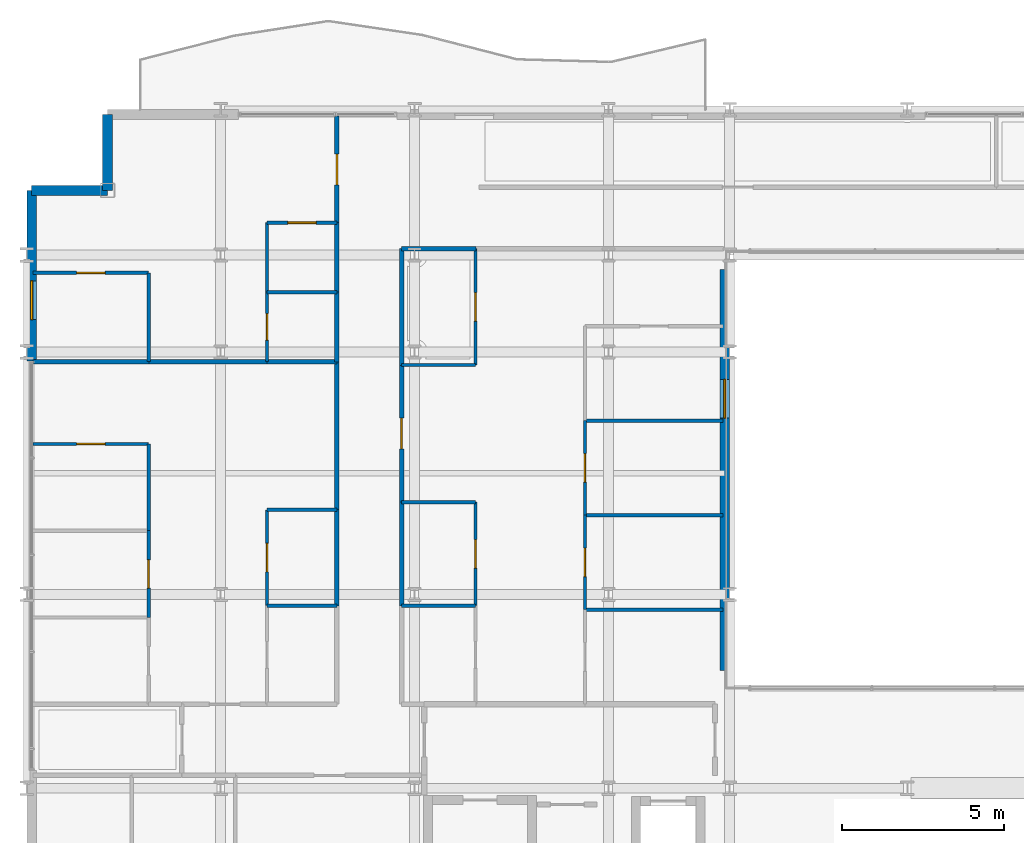
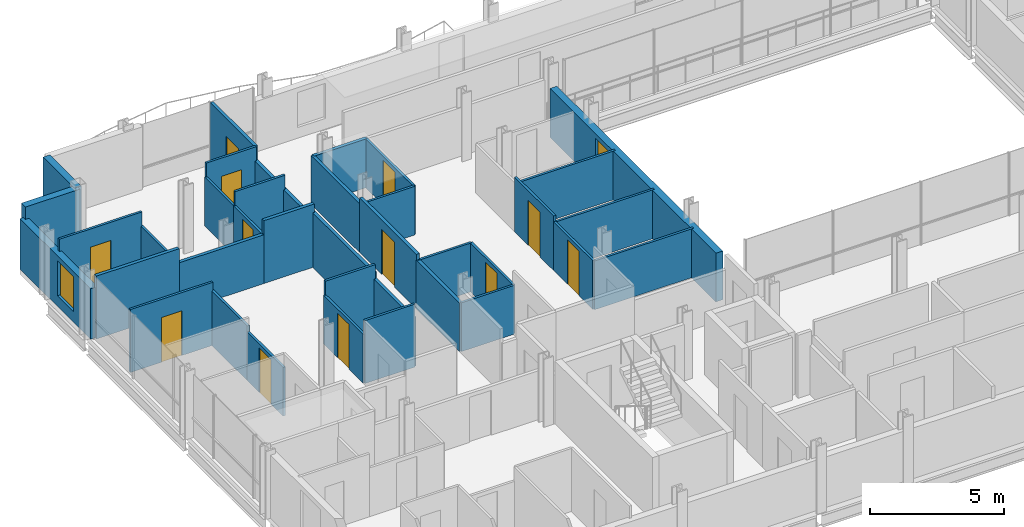
# One storey, part 33 of 41: 38 walls, 12 doors, 2 windows, 14 openings.
"""IFC4 building model written with IfcOpenShell, lengths in metres."""

import ifcopenshell
import ifcopenshell.guid

model = None  # the IFC model being written
_history = None  # IfcOwnerHistory: only IFC2X3 demands one
_inside = {}  # id of a spatial element -> (the spatial element, [elements in it])
_under = {}  # id of a project, library or spatial element -> (it, [spatial elements below it])
_declared = {}  # id of a project -> (the project, [libraries it declares])
_typed = {}  # id of a type object -> (the type object, [elements of that type])
_made_of = {}  # id of a material, layer set ... -> (it, [elements and type objects made of it])


def new_model(schema):
    """Start an empty IFC model of exactly this schema.

    Asked for "IFC4X3", IfcOpenShell would pick the latest addendum, in which some entities
    have other attributes; the version numbers below select the first issue.
    IFC2X3 requires an IfcOwnerHistory on every rooted entity: one is made here for all.
    """
    global model, _history
    if schema == "IFC4X3":
        model = ifcopenshell.file(schema_version=(4, 3, 0, 0))
    else:
        model = ifcopenshell.file(schema=schema)
    _inside.clear()
    _under.clear()
    _declared.clear()
    _typed.clear()
    _made_of.clear()
    _history = None
    if model.schema == "IFC2X3":
        org = make("IfcOrganization", Name="unknown")
        user = make(
            "IfcPersonAndOrganization",
            ThePerson=make("IfcPerson", FamilyName="unknown"),
            TheOrganization=org,
        )
        app = make(
            "IfcApplication",
            ApplicationDeveloper=org,
            Version="unknown",
            ApplicationFullName="unknown",
            ApplicationIdentifier="unknown",
        )
        _history = make(
            "IfcOwnerHistory",
            OwningUser=user,
            OwningApplication=app,
            ChangeAction="ADDED",
            CreationDate=0,
        )
    return model


def make(cls, **values):
    """One entity of the class cls with the attributes given. An attribute that is None is left unset."""
    return model.create_entity(
        cls, **{name: value for name, value in values.items() if value is not None}
    )


def rooted(cls, **values):
    """An entity with a GlobalId (a new one), such as an element, a storey or a relation."""
    return make(cls, GlobalId=ifcopenshell.guid.new(), OwnerHistory=_history, **values)


def si_unit(unit_type, name, prefix=None):
    """IfcSIUnit, for example si_unit("LENGTHUNIT", "METRE", prefix="MILLI")."""
    return make("IfcSIUnit", UnitType=unit_type, Prefix=prefix, Name=name)


def assignment(units):
    """IfcUnitAssignment: the units of a project."""
    return None if units is None else make("IfcUnitAssignment", Units=units)


def point(xyz):
    """IfcCartesianPoint."""
    return None if xyz is None else make("IfcCartesianPoint", Coordinates=xyz)


def direction(xyz):
    """IfcDirection."""
    return None if xyz is None else make("IfcDirection", DirectionRatios=xyz)


def frame(location, z_axis=None, x_axis=None):
    """IfcAxis2Placement3D, a coordinate frame: its origin and axes. An axis left out is left unset."""
    return make(
        "IfcAxis2Placement3D",
        Location=point(location),
        Axis=direction(z_axis),
        RefDirection=direction(x_axis),
    )


def frame_2d(location, x_axis=None):
    """IfcAxis2Placement2D, a coordinate frame in the plane: its origin and x axis."""
    return make(
        "IfcAxis2Placement2D", Location=point(location), RefDirection=direction(x_axis)
    )


def origin():
    """The frame at (0, 0, 0) with its axes left unset."""
    return frame((0.0, 0.0, 0.0))


def place(relative_to, where):
    """IfcLocalPlacement: puts the frame where relative to a parent placement (None: the world)."""
    return make(
        "IfcLocalPlacement", PlacementRelTo=relative_to, RelativePlacement=where
    )


def context(
    kind, dimensions, precision=None, world=None, true_north=None, identifier=None
):
    """IfcGeometricRepresentationContext, for example the 3D "Model" context."""
    return make(
        "IfcGeometricRepresentationContext",
        ContextIdentifier=identifier,
        ContextType=kind,
        CoordinateSpaceDimension=dimensions,
        Precision=precision,
        WorldCoordinateSystem=world,
        TrueNorth=true_north,
    )


def subcontext(parent, identifier, kind, view, scale=None):
    """IfcGeometricRepresentationSubContext, for example "Body" below "Model"."""
    return make(
        "IfcGeometricRepresentationSubContext",
        ContextIdentifier=identifier,
        ContextType=kind,
        ParentContext=parent,
        TargetScale=scale,
        TargetView=view,
    )


def project(units=None, contexts=None):
    """IfcProject with its units and contexts."""
    return rooted(
        "IfcProject",
        Name="project",
        RepresentationContexts=contexts,
        UnitsInContext=assignment(units),
    )


def spatial(cls, under=None, at=None, **own):
    """A site, building, storey or space (cls), placed at a placement, below another one or the project."""
    s = rooted(cls, ObjectPlacement=at, **own)
    if under is not None:
        _under.setdefault(under.id(), (under, []))[1].append(s)
    return s


def profile(cls, at=None, kind="AREA", **sizes):
    """A parametric profile (cls). Its sizes go by their IFC names, for example OverallWidth=200.0."""
    return make(cls, ProfileType=kind, Position=at, **sizes)


def rectangle(**sizes):
    """IfcRectangleProfileDef."""
    return profile("IfcRectangleProfileDef", **sizes)


def extrude(swept, where, along, depth):
    """IfcExtrudedAreaSolid: the profile swept, set in the frame where, extruded along a direction by depth."""
    return make(
        "IfcExtrudedAreaSolid",
        SweptArea=swept,
        Position=where,
        ExtrudedDirection=direction(along),
        Depth=depth,
    )


def shape(context_of_items, identifier, shape_type, items):
    """IfcShapeRepresentation: the items that make up one representation, for example the "Body"."""
    return make(
        "IfcShapeRepresentation",
        ContextOfItems=context_of_items,
        RepresentationIdentifier=identifier,
        RepresentationType=shape_type,
        Items=items,
    )


def material(Name=None, Category=None):
    """IfcMaterial."""
    return make("IfcMaterial", Name=Name, Category=Category)


def layer(
    of_material, thickness, ventilated=None, Name=None, Category=None, Priority=None
):
    """IfcMaterialLayer: one layer of a wall or slab, of a material (None: an air gap)."""
    return make(
        "IfcMaterialLayer",
        Material=of_material,
        LayerThickness=thickness,
        IsVentilated=ventilated,
        Name=Name,
        Category=Category,
        Priority=Priority,
    )


def layer_set(layers, Name=None):
    """IfcMaterialLayerSet."""
    return make("IfcMaterialLayerSet", MaterialLayers=layers, LayerSetName=Name)


def made_of(thing, what):
    """Note that an element or type object is made of a material, layer set ...; save() writes the relation."""
    if what is not None:
        _made_of.setdefault(what.id(), (what, []))[1].append(thing)
    return thing


def type_object(cls, material=None, **own):
    """A type object (cls), such as IfcWallType, which elements share."""
    return made_of(rooted(cls, **own), material)


def element(
    cls,
    number,
    at=None,
    inside=None,
    cuts=None,
    type_object=None,
    material=None,
    context=None,
    identifier="Body",
    shape_type=None,
    held_by="IfcProductDefinitionShape",
    body=None,
    shapes=None,
    **own,
):
    """One element of the class cls, such as IfcWall. Its Tag is "e" and its number.

    at: its placement. inside: the storey or other place that contains it. cuts: it is an
    opening in that element (IfcRelVoidsElement). A single representation is given by context,
    identifier, shape_type and body (its items); several are given by shapes. held_by: the class
    of the entity that holds the representations. save() writes the other relations.
    """
    e = rooted(cls, Tag="e%d" % number, ObjectPlacement=at, **own)
    if body is not None:
        shapes = [shape(context, identifier, shape_type, body)]
    if shapes is not None:
        e.Representation = make(held_by, Representations=shapes)
    if inside is not None:
        _inside.setdefault(inside.id(), (inside, []))[1].append(e)
    if cuts is not None:
        rooted(
            "IfcRelVoidsElement", RelatingBuildingElement=cuts, RelatedOpeningElement=e
        )
    if type_object is not None:
        _typed.setdefault(type_object.id(), (type_object, []))[1].append(e)
    return made_of(e, material)


def fill(opening, filler):
    """IfcRelFillsElement: the door or window that sits in an opening."""
    return rooted(
        "IfcRelFillsElement",
        RelatingOpeningElement=opening,
        RelatedBuildingElement=filler,
    )


def aggregate(whole, parts):
    """IfcRelAggregates: a whole, such as a stair, and the parts it consists of."""
    return rooted("IfcRelAggregates", RelatingObject=whole, RelatedObjects=parts)


def save(model, path):
    """Write the relations noted so far, then the file.

    IfcRelAggregates (storeys below a building ...), IfcRelContainedInSpatialStructure (elements
    in a storey), IfcRelDefinesByType, IfcRelAssociatesMaterial and IfcRelDeclares: one each for
    every whole, place, type object, material and project.
    """
    for whole, parts in _under.values():
        aggregate(whole, parts)
    for where, things in _inside.values():
        rooted(
            "IfcRelContainedInSpatialStructure",
            RelatedElements=things,
            RelatingStructure=where,
        )
    for kind, things in _typed.values():
        rooted("IfcRelDefinesByType", RelatedObjects=things, RelatingType=kind)
    for what, things in _made_of.values():
        rooted("IfcRelAssociatesMaterial", RelatedObjects=things, RelatingMaterial=what)
    for by, libraries in _declared.values():
        rooted("IfcRelDeclares", RelatingContext=by, RelatedDefinitions=libraries)
    model.write(path)


model = new_model("IFC4")

# Units and contexts
model_context = context("Model", 3, precision=1e-05, world=origin(), true_north=direction((0.0, 1.0)))
body_context = subcontext(model_context, "Body", "Model", "MODEL_VIEW")
ifc_project = project(units=[si_unit("LENGTHUNIT", "METRE"), si_unit("AREAUNIT", "SQUARE_METRE"), si_unit("VOLUMEUNIT", "CUBIC_METRE"), si_unit("PLANEANGLEUNIT", "RADIAN"), si_unit("MASSUNIT", "GRAM", prefix="KILO")], contexts=[model_context])

# Site, building, storey
site_placement = place(None, origin())
site = spatial("IfcSite", under=ifc_project, at=site_placement, CompositionType="ELEMENT")
building_placement = place(site_placement, origin())
building = spatial("IfcBuilding", under=site, at=building_placement, Name="Brevholm Reach", CompositionType="ELEMENT")
storey_placement = place(building_placement, frame((0.0, 0.0, 68.300048828125)))
storey = spatial("IfcBuildingStorey", under=building, at=storey_placement, Name="L19", CompositionType="ELEMENT", Elevation=68.300048828125)

# Walls
ifc_material_1 = material(Name="Concrete C40/50", Category="concrete")
ifc_layer_1 = layer(ifc_material_1, 0.300048828125)
ifc_layer_set_1 = layer_set([ifc_layer_1], Name="Concrete C40/50")
wall_type_1 = type_object("IfcWallType", Name="WAL-EXT-300", PredefinedType="STANDARD", material=ifc_layer_set_1)
for number, where, z_axis, x_axis, name in (
    (1, (2.5, 30.85009765625, 0.0), (0.0, 0.0, 1.0), (0.0, -1.0, 0.0), "L19 Facade Wall WAL-L19-CNW1"),
    (2, (2.5, 28.5, 0.0), (0.0, 0.0, 1.0), (-1.0, 0.0, 0.0), "L19 Facade Wall WAL-L19-CNW2"),
):
    element("IfcWall", number, at=place(storey_placement, frame(where, z_axis=z_axis, x_axis=x_axis)), inside=storey, type_object=wall_type_1, Name=name, PredefinedType="STANDARD", context=body_context, shape_type="SweptSolid", body=[
        extrude(rectangle(XDim=2.35009765625, YDim=0.300048828125, at=frame_2d((1.175048828125, 0.0))), origin(), (0.0, 0.0, 1.0), 2.869873046875),
    ])

# Wall, opening, window
wall_1_placement = place(storey_placement, frame((0.14990234375, 28.5, 0.0), z_axis=(0.0, 0.0, 1.0), x_axis=(0.0, -1.0, 0.0)))
wall_1 = element("IfcWall", 3, at=wall_1_placement, inside=storey, type_object=wall_type_1, Name="L19 Facade Wall WAL-L19-W-N", PredefinedType="STANDARD", context=body_context, shape_type="SweptSolid", body=[
    extrude(rectangle(XDim=5.280029296875, YDim=0.300048828125, at=frame_2d((2.64013671875, 0.0))), origin(), (0.0, 0.0, 1.0), 2.305419921875),
])
opening_1_placement = place(wall_1_placement, frame((2.800048828125, 0.0, 0.486083984375)))
opening_1 = element("IfcOpeningElement", 4, at=opening_1_placement, cuts=wall_1, Name="Opening WN-08", PredefinedType="OPENING", context=body_context, shape_type="SweptSolid", body=[
    extrude(rectangle(XDim=1.199951171875, YDim=1.60009765625, at=frame_2d((0.60009765625, 0.800048828125))), frame((0.0, 0.159912109375, 0.0), z_axis=(0.0, -1.0, 0.0), x_axis=(1.0, 0.0, 0.0)), (0.0, 0.0, 1.0), 0.320068359375),
])
ifc_material_2 = material(Name="Dark Anodised Aluminium and Solar-Control IGU Glass", Category="aluminium")
window_type = type_object("IfcWindowType", Name="WIN-RES-1200", PartitioningType="SINGLE_PANEL", PredefinedType="WINDOW", material=ifc_material_2)
window_1_placement = place(opening_1_placement, origin())
window_1 = element("IfcWindow", 5, at=window_1_placement, inside=storey, type_object=window_type, Name="L19 Window WIN-L19-WN-1", OverallHeight=1.60009765625, OverallWidth=1.199951171875, PartitioningType="SINGLE_PANEL", PredefinedType="WINDOW", context=body_context, shape_type="SweptSolid", body=[
    extrude(rectangle(XDim=1.199951171875, YDim=1.60009765625, at=frame_2d((0.60009765625, 0.800048828125))), frame((0.0, 0.030029296875, 0.0), z_axis=(0.0, -1.0, 0.0), x_axis=(1.0, 0.0, 0.0)), (0.0, 0.0, 1.0), 0.06005859375),
])
fill(opening_1, window_1)

wall_2_placement = place(storey_placement, frame((21.60009765625, 26.050048828125, 0.0), z_axis=(0.0, 0.0, 1.0), x_axis=(0.0, -1.0, 0.0)))
wall_2 = element("IfcWall", 6, at=wall_2_placement, inside=storey, type_object=wall_type_1, Name="L19 Facade Wall WAL-L19-AT-W", PredefinedType="STANDARD", context=body_context, shape_type="SweptSolid", body=[
    extrude(rectangle(XDim=12.400146484375, YDim=0.300048828125, at=frame_2d((6.2001953125, 0.0))), origin(), (0.0, 0.0, 1.0), 2.224853515625),
])
opening_2_placement = place(wall_2_placement, frame((3.39990234375, 0.0, 0.405029296875)))
opening_2 = element("IfcOpeningElement", 7, at=opening_2_placement, cuts=wall_2, Name="Opening WN-08", PredefinedType="OPENING", context=body_context, shape_type="SweptSolid", body=[
    extrude(rectangle(XDim=1.199951171875, YDim=1.60009765625, at=frame_2d((0.60009765625, 0.800048828125))), frame((0.0, 0.159912109375, 0.0), z_axis=(0.0, -1.0, 0.0), x_axis=(1.0, 0.0, 0.0)), (0.0, 0.0, 1.0), 0.320068359375),
])
window_2_placement = place(opening_2_placement, origin())
window_2 = element("IfcWindow", 8, at=window_2_placement, inside=storey, type_object=window_type, Name="L19 Window WIN-L19-AT-W1", OverallHeight=1.60009765625, OverallWidth=1.199951171875, PartitioningType="SINGLE_PANEL", PredefinedType="WINDOW", context=body_context, shape_type="SweptSolid", body=[
    extrude(rectangle(XDim=1.199951171875, YDim=1.60009765625, at=frame_2d((0.60009765625, 0.800048828125))), frame((0.0, 0.030029296875, 0.0), z_axis=(0.0, -1.0, 0.0), x_axis=(1.0, 0.0, 0.0)), (0.0, 0.0, 1.0), 0.06005859375),
])
fill(opening_2, window_2)

# Walls
ifc_material_3 = material(Name="Moisture-Resistant Acoustic Gypsum Stud Partition 100 mm", Category="gypsum")
ifc_layer_2 = layer(ifc_material_3, 0.10009765625)
ifc_layer_set_2 = layer_set([ifc_layer_2], Name="Moisture-Resistant Acoustic Gypsum Stud Partition 100 mm")
wall_type_2 = type_object("IfcWallType", Name="WAL-PRT-100", PredefinedType="PARTITIONING", material=ifc_layer_set_2)
for number, where, z_axis, x_axis, name in (
    (9, (7.43798828125, 15.64990234375, 0.0), (0.0, 0.0, 1.0), (1.0, 0.0, 0.0), "L19 Internal Partition 091"),
    (10, (7.43798828125, 18.617919921875, 0.0), (0.0, 0.0, 1.0), (1.0, 0.0, 0.0), "L19 Internal Partition 093"),
):
    element("IfcWall", number, at=place(storey_placement, frame(where, z_axis=z_axis, x_axis=x_axis)), inside=storey, type_object=wall_type_2, Name=name, PredefinedType="PARTITIONING", context=body_context, shape_type="SweptSolid", body=[
        extrude(rectangle(XDim=2.157958984375, YDim=0.10009765625, at=frame_2d((1.0791015625, 0.0))), origin(), (0.0, 0.0, 1.0), 2.869873046875),
    ])

# Wall, opening, door
wall_3_placement = place(storey_placement, frame((7.43798828125, 15.654052734375, 0.0), z_axis=(0.0, 0.0, 1.0), x_axis=(0.0, 1.0, 0.0)))
wall_3 = element("IfcWall", 11, at=wall_3_placement, inside=storey, type_object=wall_type_2, Name="L19 Internal Partition 094", PredefinedType="PARTITIONING", context=body_context, shape_type="SweptSolid", body=[
    extrude(rectangle(XDim=2.9638671875, YDim=0.10009765625, at=frame_2d((1.48193359375, 0.0))), origin(), (0.0, 0.0, 1.0), 2.224853515625),
])
opening_3_placement = place(wall_3_placement, frame((1.0419921875, 0.0, 0.0)))
opening_3 = element("IfcOpeningElement", 12, at=opening_3_placement, cuts=wall_3, Name="Opening ID-01", PredefinedType="OPENING", context=body_context, shape_type="SweptSolid", body=[
    extrude(rectangle(XDim=0.8798828125, YDim=2.0400390625, at=frame_2d((0.43994140625, 1.02001953125))), frame((0.0, 0.06005859375, 0.0), z_axis=(0.0, -1.0, 0.0), x_axis=(1.0, 0.0, 0.0)), (0.0, 0.0, 1.0), 0.1201171875),
])
ifc_material_4 = material(Name="Lacquered Ash Solid-Core Acoustic Internal Door", Category="timber")
door_type_1 = type_object("IfcDoorType", Name="DOR-INT-880", OperationType="NOTDEFINED", PredefinedType="DOOR", material=ifc_material_4)
door_1_placement = place(opening_3_placement, origin())
door_1 = element("IfcDoor", 13, at=door_1_placement, inside=storey, type_object=door_type_1, Name="L19 Internal Door 034", OperationType="SINGLE_SWING_RIGHT", OverallHeight=2.0400390625, OverallWidth=0.8798828125, PredefinedType="DOOR", context=body_context, shape_type="SweptSolid", body=[
    extrude(rectangle(XDim=0.8798828125, YDim=2.0400390625, at=frame_2d((0.43994140625, 1.02001953125))), frame((0.0, 0.02490234375, 0.0), z_axis=(0.0, -1.0, 0.0), x_axis=(1.0, 0.0, 0.0)), (0.0, 0.0, 1.0), 0.050048828125),
])
fill(opening_3, door_1)

wall_4_placement = place(storey_placement, frame((3.77197265625, 15.2890625, 0.0), z_axis=(0.0, 0.0, 1.0), x_axis=(0.0, 1.0, 0.0)))
wall_4 = element("IfcWall", 14, at=wall_4_placement, inside=storey, type_object=wall_type_2, Name="L19 Internal Partition 098", PredefinedType="PARTITIONING", context=body_context, shape_type="SweptSolid", body=[
    extrude(rectangle(XDim=2.680908203125, YDim=0.10009765625, at=frame_2d((1.34033203125, 0.0))), origin(), (0.0, 0.0, 1.0), 2.224853515625),
])
opening_4_placement = place(wall_4_placement, frame((0.900390625, 0.0, 0.0)))
opening_4 = element("IfcOpeningElement", 15, at=opening_4_placement, cuts=wall_4, Name="Opening ID-01", PredefinedType="OPENING", context=body_context, shape_type="SweptSolid", body=[
    extrude(rectangle(XDim=0.8798828125, YDim=2.0400390625, at=frame_2d((0.43994140625, 1.02001953125))), frame((0.0, 0.06005859375, 0.0), z_axis=(0.0, -1.0, 0.0), x_axis=(1.0, 0.0, 0.0)), (0.0, 0.0, 1.0), 0.1201171875),
])
door_2_placement = place(opening_4_placement, origin())
door_2 = element("IfcDoor", 16, at=door_2_placement, inside=storey, type_object=door_type_1, Name="L19 Internal Door 036", OperationType="SINGLE_SWING_RIGHT", OverallHeight=2.0400390625, OverallWidth=0.8798828125, PredefinedType="DOOR", context=body_context, shape_type="SweptSolid", body=[
    extrude(rectangle(XDim=0.8798828125, YDim=2.0400390625, at=frame_2d((0.43994140625, 1.02001953125))), frame((0.0, 0.02490234375, 0.0), z_axis=(0.0, -1.0, 0.0), x_axis=(1.0, 0.0, 0.0)), (0.0, 0.0, 1.0), 0.050048828125),
])
fill(opening_4, door_2)

# Wall
wall_5_placement = place(storey_placement, frame((3.77197265625, 17.97412109375, 0.0), z_axis=(0.0, 0.0, 1.0), x_axis=(0.0, 1.0, 0.0)))
element("IfcWall", 17, at=wall_5_placement, inside=storey, type_object=wall_type_2, Name="L19 Internal Partition 099", PredefinedType="PARTITIONING", context=body_context, shape_type="SweptSolid", body=[
    extrude(rectangle(XDim=2.680908203125, YDim=0.10009765625, at=frame_2d((1.34033203125, 0.0))), origin(), (0.0, 0.0, 1.0), 2.489990234375),
])

# Wall, opening, door
wall_6_placement = place(storey_placement, frame((0.199951171875, 20.655029296875, 0.0), z_axis=(0.0, 0.0, 1.0), x_axis=(1.0, 0.0, 0.0)))
wall_6 = element("IfcWall", 18, at=wall_6_placement, inside=storey, type_object=wall_type_2, Name="L19 Internal Partition 100", PredefinedType="PARTITIONING", context=body_context, shape_type="SweptSolid", body=[
    extrude(rectangle(XDim=3.572021484375, YDim=0.10009765625, at=frame_2d((1.7861328125, 0.0))), origin(), (0.0, 0.0, 1.0), 2.869873046875),
])
opening_5_placement = place(wall_6_placement, frame((1.345947265625, 0.0, 0.0)))
opening_5 = element("IfcOpeningElement", 19, at=opening_5_placement, cuts=wall_6, Name="Opening ID-01", PredefinedType="OPENING", context=body_context, shape_type="SweptSolid", body=[
    extrude(rectangle(XDim=0.8798828125, YDim=2.0400390625, at=frame_2d((0.43994140625, 1.02001953125))), frame((0.0, 0.06005859375, 0.0), z_axis=(0.0, -1.0, 0.0), x_axis=(1.0, 0.0, 0.0)), (0.0, 0.0, 1.0), 0.1201171875),
])
door_3_placement = place(opening_5_placement, origin())
door_3 = element("IfcDoor", 20, at=door_3_placement, inside=storey, type_object=door_type_1, Name="L19 Internal Door 037", OperationType="SINGLE_SWING_LEFT", OverallHeight=2.0400390625, OverallWidth=0.8798828125, PredefinedType="DOOR", context=body_context, shape_type="SweptSolid", body=[
    extrude(rectangle(XDim=0.8798828125, YDim=2.0400390625, at=frame_2d((0.43994140625, 1.02001953125))), frame((0.0, 0.02490234375, 0.0), z_axis=(0.0, -1.0, 0.0), x_axis=(1.0, 0.0, 0.0)), (0.0, 0.0, 1.0), 0.050048828125),
])
fill(opening_5, door_3)

# Wall
wall_7_placement = place(storey_placement, frame((7.43798828125, 25.35009765625, 0.0), z_axis=(0.0, 0.0, 1.0), x_axis=(1.0, 0.0, 0.0)))
element("IfcWall", 21, at=wall_7_placement, inside=storey, type_object=wall_type_2, Name="L19 Internal Partition 104", PredefinedType="PARTITIONING", context=body_context, shape_type="SweptSolid", body=[
    extrude(rectangle(XDim=2.157958984375, YDim=0.10009765625, at=frame_2d((1.0791015625, 0.0))), origin(), (0.0, 0.0, 1.0), 2.869873046875),
])

# Wall, opening, door
wall_8_placement = place(storey_placement, frame((7.43798828125, 23.2041015625, 0.0), z_axis=(0.0, 0.0, 1.0), x_axis=(0.0, 1.0, 0.0)))
wall_8 = element("IfcWall", 22, at=wall_8_placement, inside=storey, type_object=wall_type_2, Name="L19 Internal Partition 105", PredefinedType="PARTITIONING", context=body_context, shape_type="SweptSolid", body=[
    extrude(rectangle(XDim=2.14599609375, YDim=0.10009765625, at=frame_2d((1.072998046875, 0.0))), origin(), (0.0, 0.0, 1.0), 2.224853515625),
])
opening_6_placement = place(wall_8_placement, frame((0.6630859375, 0.0, 0.0)))
opening_6 = element("IfcOpeningElement", 23, at=opening_6_placement, cuts=wall_8, Name="Opening ID-03", PredefinedType="OPENING", context=body_context, shape_type="SweptSolid", body=[
    extrude(rectangle(XDim=0.820068359375, YDim=2.02001953125, at=frame_2d((0.41015625, 1.010009765625))), frame((0.0, 0.06005859375, 0.0), z_axis=(0.0, -1.0, 0.0), x_axis=(1.0, 0.0, 0.0)), (0.0, 0.0, 1.0), 0.1201171875),
])
ifc_material_5 = material(Name="Moisture-Resistant Painted Timber Internal Bathroom Door", Category="wood")
door_type_2 = type_object("IfcDoorType", Name="DOR-BATH-820", OperationType="NOTDEFINED", PredefinedType="DOOR", material=ifc_material_5)
door_4_placement = place(opening_6_placement, origin())
door_4 = element("IfcDoor", 24, at=door_4_placement, inside=storey, type_object=door_type_2, Name="L19 Internal Door 038", OperationType="SINGLE_SWING_RIGHT", OverallHeight=2.02001953125, OverallWidth=0.820068359375, PredefinedType="DOOR", context=body_context, shape_type="SweptSolid", body=[
    extrude(rectangle(XDim=0.820068359375, YDim=2.02001953125, at=frame_2d((0.41015625, 1.010009765625))), frame((0.0, 0.02490234375, 0.0), z_axis=(0.0, -1.0, 0.0), x_axis=(1.0, 0.0, 0.0)), (0.0, 0.0, 1.0), 0.050048828125),
])
fill(opening_6, door_4)

wall_9_placement = place(storey_placement, frame((7.43798828125, 27.5, 0.0), z_axis=(0.0, 0.0, 1.0), x_axis=(1.0, 0.0, 0.0)))
wall_9 = element("IfcWall", 25, at=wall_9_placement, inside=storey, type_object=wall_type_2, Name="L19 Internal Partition 106", PredefinedType="PARTITIONING", context=body_context, shape_type="SweptSolid", body=[
    extrude(rectangle(XDim=2.157958984375, YDim=0.10009765625, at=frame_2d((1.0791015625, 0.0))), origin(), (0.0, 0.0, 1.0), 2.869873046875),
])
opening_7_placement = place(wall_9_placement, frame((0.638916015625, 0.0, 0.0)))
opening_7 = element("IfcOpeningElement", 26, at=opening_7_placement, cuts=wall_9, Name="Opening ID-01", PredefinedType="OPENING", context=body_context, shape_type="SweptSolid", body=[
    extrude(rectangle(XDim=0.8798828125, YDim=2.0400390625, at=frame_2d((0.43994140625, 1.02001953125))), frame((0.0, 0.06005859375, 0.0), z_axis=(0.0, -1.0, 0.0), x_axis=(1.0, 0.0, 0.0)), (0.0, 0.0, 1.0), 0.1201171875),
])
door_5_placement = place(opening_7_placement, origin())
door_5 = element("IfcDoor", 27, at=door_5_placement, inside=storey, type_object=door_type_1, Name="L19 Internal Door 039", OperationType="SINGLE_SWING_LEFT", OverallHeight=2.0400390625, OverallWidth=0.8798828125, PredefinedType="DOOR", context=body_context, shape_type="SweptSolid", body=[
    extrude(rectangle(XDim=0.8798828125, YDim=2.0400390625, at=frame_2d((0.43994140625, 1.02001953125))), frame((0.0, 0.02490234375, 0.0), z_axis=(0.0, -1.0, 0.0), x_axis=(1.0, 0.0, 0.0)), (0.0, 0.0, 1.0), 0.050048828125),
])
fill(opening_7, door_5)

# Walls
wall_10_placement = place(storey_placement, frame((7.43798828125, 25.35400390625, 0.0), z_axis=(0.0, 0.0, 1.0), x_axis=(0.0, 1.0, 0.0)))
element("IfcWall", 28, at=wall_10_placement, inside=storey, type_object=wall_type_2, Name="L19 Internal Partition 107", PredefinedType="PARTITIONING", context=body_context, shape_type="SweptSolid", body=[
    extrude(rectangle(XDim=2.14599609375, YDim=0.10009765625, at=frame_2d((1.072998046875, 0.0))), origin(), (0.0, 0.0, 1.0), 2.224853515625),
])
wall_11_placement = place(storey_placement, frame((3.77197265625, 23.2041015625, 0.0), z_axis=(0.0, 0.0, 1.0), x_axis=(0.0, 1.0, 0.0)))
element("IfcWall", 29, at=wall_11_placement, inside=storey, type_object=wall_type_2, Name="L19 Internal Partition 108", PredefinedType="PARTITIONING", context=body_context, shape_type="SweptSolid", body=[
    extrude(rectangle(XDim=2.745849609375, YDim=0.10009765625, at=frame_2d((1.373046875, 0.0))), origin(), (0.0, 0.0, 1.0), 2.224853515625),
])

# Wall, opening, door
wall_12_placement = place(storey_placement, frame((0.199951171875, 25.949951171875, 0.0), z_axis=(0.0, 0.0, 1.0), x_axis=(1.0, 0.0, 0.0)))
wall_12 = element("IfcWall", 30, at=wall_12_placement, inside=storey, type_object=wall_type_2, Name="L19 Internal Partition 109", PredefinedType="PARTITIONING", context=body_context, shape_type="SweptSolid", body=[
    extrude(rectangle(XDim=3.572021484375, YDim=0.10009765625, at=frame_2d((1.7861328125, 0.0))), origin(), (0.0, 0.0, 1.0), 2.869873046875),
])
opening_8_placement = place(wall_12_placement, frame((1.345947265625, 0.0, 0.0)))
opening_8 = element("IfcOpeningElement", 31, at=opening_8_placement, cuts=wall_12, Name="Opening ID-01", PredefinedType="OPENING", context=body_context, shape_type="SweptSolid", body=[
    extrude(rectangle(XDim=0.8798828125, YDim=2.0400390625, at=frame_2d((0.43994140625, 1.02001953125))), frame((0.0, 0.06005859375, 0.0), z_axis=(0.0, -1.0, 0.0), x_axis=(1.0, 0.0, 0.0)), (0.0, 0.0, 1.0), 0.1201171875),
])
door_6_placement = place(opening_8_placement, origin())
door_6 = element("IfcDoor", 32, at=door_6_placement, inside=storey, type_object=door_type_1, Name="L19 Internal Door 040", OperationType="SINGLE_SWING_RIGHT", OverallHeight=2.0400390625, OverallWidth=0.8798828125, PredefinedType="DOOR", context=body_context, shape_type="SweptSolid", body=[
    extrude(rectangle(XDim=0.8798828125, YDim=2.0400390625, at=frame_2d((0.43994140625, 1.02001953125))), frame((0.0, 0.02490234375, 0.0), z_axis=(0.0, -1.0, 0.0), x_axis=(1.0, 0.0, 0.0)), (0.0, 0.0, 1.0), 0.050048828125),
])
fill(opening_8, door_6)

# Wall
wall_13_placement = place(storey_placement, frame((11.60400390625, 15.64990234375, 0.0), z_axis=(0.0, 0.0, 1.0), x_axis=(1.0, 0.0, 0.0)))
element("IfcWall", 33, at=wall_13_placement, inside=storey, type_object=wall_type_2, Name="L19 Internal Partition 110", PredefinedType="PARTITIONING", context=body_context, shape_type="SweptSolid", body=[
    extrude(rectangle(XDim=2.284912109375, YDim=0.10009765625, at=frame_2d((1.142578125, 0.0))), origin(), (0.0, 0.0, 1.0), 2.224853515625),
])

# Wall, opening, door
wall_14_placement = place(storey_placement, frame((13.888916015625, 15.654052734375, 0.0), z_axis=(0.0, 0.0, 1.0), x_axis=(0.0, 1.0, 0.0)))
wall_14 = element("IfcWall", 34, at=wall_14_placement, inside=storey, type_object=wall_type_2, Name="L19 Internal Partition 112", PredefinedType="PARTITIONING", context=body_context, shape_type="SweptSolid", body=[
    extrude(rectangle(XDim=3.196044921875, YDim=0.10009765625, at=frame_2d((1.59814453125, 0.0))), origin(), (0.0, 0.0, 1.0), 2.224853515625),
])
opening_9_placement = place(wall_14_placement, frame((1.157958984375, 0.0, 0.0)))
opening_9 = element("IfcOpeningElement", 35, at=opening_9_placement, cuts=wall_14, Name="Opening ID-01", PredefinedType="OPENING", context=body_context, shape_type="SweptSolid", body=[
    extrude(rectangle(XDim=0.8798828125, YDim=2.0400390625, at=frame_2d((0.43994140625, 1.02001953125))), frame((0.0, 0.06005859375, 0.0), z_axis=(0.0, -1.0, 0.0), x_axis=(1.0, 0.0, 0.0)), (0.0, 0.0, 1.0), 0.1201171875),
])
door_7_placement = place(opening_9_placement, origin())
door_7 = element("IfcDoor", 36, at=door_7_placement, inside=storey, type_object=door_type_1, Name="L19 Internal Door 042", OperationType="SINGLE_SWING_RIGHT", OverallHeight=2.0400390625, OverallWidth=0.8798828125, PredefinedType="DOOR", context=body_context, shape_type="SweptSolid", body=[
    extrude(rectangle(XDim=0.8798828125, YDim=2.0400390625, at=frame_2d((0.43994140625, 1.02001953125))), frame((0.0, 0.02490234375, 0.0), z_axis=(0.0, -1.0, 0.0), x_axis=(1.0, 0.0, 0.0)), (0.0, 0.0, 1.0), 0.050048828125),
])
fill(opening_9, door_7)

# Walls
for number, where, z_axis, x_axis, name in (
    (37, (11.60400390625, 18.85009765625, 0.0), (0.0, 0.0, 1.0), (1.0, 0.0, 0.0), "L19 Internal Partition 113"),
    (38, (11.60400390625, 23.10009765625, 0.0), (0.0, 0.0, 1.0), (1.0, 0.0, 0.0), "L19 Internal Partition 114"),
):
    element("IfcWall", number, at=place(storey_placement, frame(where, z_axis=z_axis, x_axis=x_axis)), inside=storey, type_object=wall_type_2, Name=name, PredefinedType="PARTITIONING", context=body_context, shape_type="SweptSolid", body=[
        extrude(rectangle(XDim=2.284912109375, YDim=0.10009765625, at=frame_2d((1.142578125, 0.0))), origin(), (0.0, 0.0, 1.0), 2.224853515625),
    ])

# Wall, opening, door
wall_15_placement = place(storey_placement, frame((13.888916015625, 23.10009765625, 0.0), z_axis=(0.0, 0.0, 1.0), x_axis=(0.0, 1.0, 0.0)))
wall_15 = element("IfcWall", 39, at=wall_15_placement, inside=storey, type_object=wall_type_2, Name="L19 Internal Partition 115", PredefinedType="PARTITIONING", context=body_context, shape_type="SweptSolid", body=[
    extrude(rectangle(XDim=3.595947265625, YDim=0.10009765625, at=frame_2d((1.7978515625, 0.0))), origin(), (0.0, 0.0, 1.0), 2.224853515625),
])
opening_10_placement = place(wall_15_placement, frame((1.35791015625, 0.0, 0.0)))
opening_10 = element("IfcOpeningElement", 40, at=opening_10_placement, cuts=wall_15, Name="Opening ID-01", PredefinedType="OPENING", context=body_context, shape_type="SweptSolid", body=[
    extrude(rectangle(XDim=0.8798828125, YDim=2.0400390625, at=frame_2d((0.43994140625, 1.02001953125))), frame((0.0, 0.06005859375, 0.0), z_axis=(0.0, -1.0, 0.0), x_axis=(1.0, 0.0, 0.0)), (0.0, 0.0, 1.0), 0.1201171875),
])
door_8_placement = place(opening_10_placement, origin())
door_8 = element("IfcDoor", 41, at=door_8_placement, inside=storey, type_object=door_type_1, Name="L19 Internal Door 043", OperationType="SINGLE_SWING_LEFT", OverallHeight=2.0400390625, OverallWidth=0.8798828125, PredefinedType="DOOR", context=body_context, shape_type="SweptSolid", body=[
    extrude(rectangle(XDim=0.8798828125, YDim=2.0400390625, at=frame_2d((0.43994140625, 1.02001953125))), frame((0.0, 0.02490234375, 0.0), z_axis=(0.0, -1.0, 0.0), x_axis=(1.0, 0.0, 0.0)), (0.0, 0.0, 1.0), 0.050048828125),
])
fill(opening_10, door_8)

# Walls
for number, where, z_axis, x_axis, name in (
    (42, (17.27099609375, 15.52490234375, 0.0), (0.0, 0.0, 1.0), (1.0, 0.0, 0.0), "L19 Internal Partition 116"),
    (43, (17.27099609375, 18.449951171875, 0.0), (0.0, 0.0, 1.0), (1.0, 0.0, 0.0), "L19 Internal Partition 118"),
):
    element("IfcWall", number, at=place(storey_placement, frame(where, z_axis=z_axis, x_axis=x_axis)), inside=storey, type_object=wall_type_2, Name=name, PredefinedType="PARTITIONING", context=body_context, shape_type="SweptSolid", body=[
        extrude(rectangle(XDim=4.279052734375, YDim=0.10009765625, at=frame_2d((2.1396484375, 0.0))), origin(), (0.0, 0.0, 1.0), 2.224853515625),
    ])

# Wall, opening, door
wall_16_placement = place(storey_placement, frame((17.27099609375, 15.529052734375, 0.0), z_axis=(0.0, 0.0, 1.0), x_axis=(0.0, 1.0, 0.0)))
wall_16 = element("IfcWall", 44, at=wall_16_placement, inside=storey, type_object=wall_type_2, Name="L19 Internal Partition 119", PredefinedType="PARTITIONING", context=body_context, shape_type="SweptSolid", body=[
    extrude(rectangle(XDim=2.9208984375, YDim=0.10009765625, at=frame_2d((1.46044921875, 0.0))), origin(), (0.0, 0.0, 1.0), 2.224853515625),
])
opening_11_placement = place(wall_16_placement, frame((1.0205078125, 0.0, 0.0)))
opening_11 = element("IfcOpeningElement", 45, at=opening_11_placement, cuts=wall_16, Name="Opening ID-01", PredefinedType="OPENING", context=body_context, shape_type="SweptSolid", body=[
    extrude(rectangle(XDim=0.8798828125, YDim=2.0400390625, at=frame_2d((0.43994140625, 1.02001953125))), frame((0.0, 0.06005859375, 0.0), z_axis=(0.0, -1.0, 0.0), x_axis=(1.0, 0.0, 0.0)), (0.0, 0.0, 1.0), 0.1201171875),
])
door_9_placement = place(opening_11_placement, origin())
door_9 = element("IfcDoor", 46, at=door_9_placement, inside=storey, type_object=door_type_1, Name="L19 Internal Door 045", OperationType="SINGLE_SWING_LEFT", OverallHeight=2.0400390625, OverallWidth=0.8798828125, PredefinedType="DOOR", context=body_context, shape_type="SweptSolid", body=[
    extrude(rectangle(XDim=0.8798828125, YDim=2.0400390625, at=frame_2d((0.43994140625, 1.02001953125))), frame((0.0, 0.02490234375, 0.0), z_axis=(0.0, -1.0, 0.0), x_axis=(1.0, 0.0, 0.0)), (0.0, 0.0, 1.0), 0.050048828125),
])
fill(opening_11, door_9)

# Wall
wall_17_placement = place(storey_placement, frame((17.27099609375, 21.375, 0.0), z_axis=(0.0, 0.0, 1.0), x_axis=(1.0, 0.0, 0.0)))
element("IfcWall", 47, at=wall_17_placement, inside=storey, type_object=wall_type_2, Name="L19 Internal Partition 120", PredefinedType="PARTITIONING", context=body_context, shape_type="SweptSolid", body=[
    extrude(rectangle(XDim=4.279052734375, YDim=0.10009765625, at=frame_2d((2.1396484375, 0.0))), origin(), (0.0, 0.0, 1.0), 2.224853515625),
])

# Wall, opening, door
wall_18_placement = place(storey_placement, frame((17.27099609375, 18.4541015625, 0.0), z_axis=(0.0, 0.0, 1.0), x_axis=(0.0, 1.0, 0.0)))
wall_18 = element("IfcWall", 48, at=wall_18_placement, inside=storey, type_object=wall_type_2, Name="L19 Internal Partition 121", PredefinedType="PARTITIONING", context=body_context, shape_type="SweptSolid", body=[
    extrude(rectangle(XDim=2.9208984375, YDim=0.10009765625, at=frame_2d((1.46044921875, 0.0))), origin(), (0.0, 0.0, 1.0), 2.489990234375),
])
opening_12_placement = place(wall_18_placement, frame((1.0205078125, 0.0, 0.0)))
opening_12 = element("IfcOpeningElement", 49, at=opening_12_placement, cuts=wall_18, Name="Opening ID-01", PredefinedType="OPENING", context=body_context, shape_type="SweptSolid", body=[
    extrude(rectangle(XDim=0.8798828125, YDim=2.0400390625, at=frame_2d((0.43994140625, 1.02001953125))), frame((0.0, 0.06005859375, 0.0), z_axis=(0.0, -1.0, 0.0), x_axis=(1.0, 0.0, 0.0)), (0.0, 0.0, 1.0), 0.1201171875),
])
door_10_placement = place(opening_12_placement, origin())
door_10 = element("IfcDoor", 50, at=door_10_placement, inside=storey, type_object=door_type_1, Name="L19 Internal Door 046", OperationType="SINGLE_SWING_RIGHT", OverallHeight=2.0400390625, OverallWidth=0.8798828125, PredefinedType="DOOR", context=body_context, shape_type="SweptSolid", body=[
    extrude(rectangle(XDim=0.8798828125, YDim=2.0400390625, at=frame_2d((0.43994140625, 1.02001953125))), frame((0.0, 0.02490234375, 0.0), z_axis=(0.0, -1.0, 0.0), x_axis=(1.0, 0.0, 0.0)), (0.0, 0.0, 1.0), 0.050048828125),
])
fill(opening_12, door_10)

# Walls
ifc_material_6 = material(Name="Twin-Stud Acoustic Fire-Rated Gypsum Partition 140 mm", Category="gypsum")
ifc_layer_3 = layer(ifc_material_6, 0.139892578125)
ifc_layer_set_3 = layer_set([ifc_layer_3], Name="Twin-Stud Acoustic Fire-Rated Gypsum Partition 140 mm")
wall_type_3 = type_object("IfcWallType", Name="WAL-PRT-140", PredefinedType="PARTITIONING", material=ifc_layer_set_3)
wall_19_placement = place(storey_placement, frame((9.60009765625, 15.642578125, 0.0), z_axis=(0.0, 0.0, 1.0), x_axis=(0.0, 1.0, 0.0)))
element("IfcWall", 51, at=wall_19_placement, inside=storey, type_object=wall_type_3, Name="L19 Internal Partition 039", PredefinedType="PARTITIONING", context=body_context, shape_type="SweptSolid", body=[
    extrude(rectangle(XDim=2.98681640625, YDim=0.139892578125, at=frame_2d((1.493408203125, 0.0))), origin(), (0.0, 0.0, 1.0), 2.224853515625),
])
wall_20_placement = place(storey_placement, frame((9.60009765625, 18.610595703125, 0.0), z_axis=(0.0, 0.0, 1.0), x_axis=(0.0, 1.0, 0.0)))
element("IfcWall", 52, at=wall_20_placement, inside=storey, type_object=wall_type_3, Name="L19 Internal Partition 040", PredefinedType="PARTITIONING", context=body_context, shape_type="SweptSolid", body=[
    extrude(rectangle(XDim=4.6005859375, YDim=0.139892578125, at=frame_2d((2.30029296875, 0.0))), origin(), (0.0, 0.0, 1.0), 2.489990234375),
])
wall_21_placement = place(storey_placement, frame((9.60009765625, 23.192626953125, 0.0), z_axis=(0.0, 0.0, 1.0), x_axis=(0.0, 1.0, 0.0)))
element("IfcWall", 53, at=wall_21_placement, inside=storey, type_object=wall_type_3, Name="L19 Internal Partition 041", PredefinedType="PARTITIONING", context=body_context, shape_type="SweptSolid", body=[
    extrude(rectangle(XDim=2.168701171875, YDim=0.139892578125, at=frame_2d((1.08447265625, 0.0))), origin(), (0.0, 0.0, 1.0), 2.224853515625),
])
wall_22_placement = place(storey_placement, frame((9.60009765625, 25.3427734375, 0.0), z_axis=(0.0, 0.0, 1.0), x_axis=(0.0, 1.0, 0.0)))
element("IfcWall", 54, at=wall_22_placement, inside=storey, type_object=wall_type_3, Name="L19 Internal Partition 042", PredefinedType="PARTITIONING", context=body_context, shape_type="SweptSolid", body=[
    extrude(rectangle(XDim=2.16845703125, YDim=0.139892578125, at=frame_2d((1.084228515625, 0.0))), origin(), (0.0, 0.0, 1.0), 2.224853515625),
])

# Wall, opening, door
wall_23_placement = place(storey_placement, frame((9.60009765625, 27.49267578125, 0.0), z_axis=(0.0, 0.0, 1.0), x_axis=(0.0, 1.0, 0.0)))
wall_23 = element("IfcWall", 55, at=wall_23_placement, inside=storey, type_object=wall_type_3, Name="L19 Internal Partition 043", PredefinedType="PARTITIONING", context=body_context, shape_type="SweptSolid", body=[
    extrude(rectangle(XDim=3.307373046875, YDim=0.139892578125, at=frame_2d((1.65380859375, 0.0))), origin(), (0.0, 0.0, 1.0), 2.869873046875),
])
opening_13_placement = place(wall_23_placement, frame((1.1787109375, 0.0, 0.0)))
opening_13 = element("IfcOpeningElement", 56, at=opening_13_placement, cuts=wall_23, Name="Opening ID-30", PredefinedType="OPENING", context=body_context, shape_type="SweptSolid", body=[
    extrude(rectangle(XDim=0.949951171875, YDim=2.050048828125, at=frame_2d((0.47509765625, 1.02490234375))), frame((0.0, 0.079833984375, 0.0), z_axis=(0.0, -1.0, 0.0), x_axis=(1.0, 0.0, 0.0)), (0.0, 0.0, 1.0), 0.159912109375),
])
ifc_material_7 = material(Name="European Oak Veneered Solid-Core Fire Entrance Door", Category="timber")
door_type_3 = type_object("IfcDoorType", Name="DOR-FLT-FD30S", OperationType="NOTDEFINED", PredefinedType="DOOR", material=ifc_material_7)
door_11_placement = place(opening_13_placement, origin())
door_11 = element("IfcDoor", 57, at=door_11_placement, inside=storey, type_object=door_type_3, Name="L19 Internal Door 018", OperationType="SINGLE_SWING_RIGHT", OverallHeight=2.050048828125, OverallWidth=0.949951171875, PredefinedType="DOOR", context=body_context, shape_type="SweptSolid", body=[
    extrude(rectangle(XDim=0.949951171875, YDim=2.050048828125, at=frame_2d((0.47509765625, 1.02490234375))), frame((0.0, 0.02490234375, 0.0), z_axis=(0.0, -1.0, 0.0), x_axis=(1.0, 0.0, 0.0)), (0.0, 0.0, 1.0), 0.050048828125),
])
fill(opening_13, door_11)

# Walls
wall_24_placement = place(storey_placement, frame((11.60009765625, 15.642578125, 0.0), z_axis=(0.0, 0.0, 1.0), x_axis=(0.0, 1.0, 0.0)))
element("IfcWall", 58, at=wall_24_placement, inside=storey, type_object=wall_type_3, Name="L19 Internal Partition 045", PredefinedType="PARTITIONING", context=body_context, shape_type="SweptSolid", body=[
    extrude(rectangle(XDim=3.21875, YDim=0.139892578125, at=frame_2d((1.609375, 0.0))), origin(), (0.0, 0.0, 1.0), 2.224853515625),
])
wall_25_placement = place(storey_placement, frame((11.60009765625, 23.088623046875, 0.0), z_axis=(0.0, 0.0, 1.0), x_axis=(0.0, 1.0, 0.0)))
element("IfcWall", 59, at=wall_25_placement, inside=storey, type_object=wall_type_3, Name="L19 Internal Partition 046", PredefinedType="PARTITIONING", context=body_context, shape_type="SweptSolid", body=[
    extrude(rectangle(XDim=3.61865234375, YDim=0.139892578125, at=frame_2d((1.809326171875, 0.0))), origin(), (0.0, 0.0, 1.0), 2.224853515625),
])

# Wall, opening, door
wall_26_placement = place(storey_placement, frame((11.60009765625, 18.8427734375, 0.0), z_axis=(0.0, 0.0, 1.0), x_axis=(0.0, 1.0, 0.0)))
wall_26 = element("IfcWall", 60, at=wall_26_placement, inside=storey, type_object=wall_type_3, Name="L19 Internal Partition 047", PredefinedType="PARTITIONING", context=body_context, shape_type="SweptSolid", body=[
    extrude(rectangle(XDim=4.2646484375, YDim=0.139892578125, at=frame_2d((2.13232421875, 0.0))), origin(), (0.0, 0.0, 1.0), 2.489990234375),
])
opening_14_placement = place(wall_26_placement, frame((1.6572265625, 0.0, 0.0)))
opening_14 = element("IfcOpeningElement", 61, at=opening_14_placement, cuts=wall_26, Name="Opening ID-30", PredefinedType="OPENING", context=body_context, shape_type="SweptSolid", body=[
    extrude(rectangle(XDim=0.949951171875, YDim=2.050048828125, at=frame_2d((0.47509765625, 1.02490234375))), frame((0.0, 0.079833984375, 0.0), z_axis=(0.0, -1.0, 0.0), x_axis=(1.0, 0.0, 0.0)), (0.0, 0.0, 1.0), 0.159912109375),
])
door_12_placement = place(opening_14_placement, origin())
door_12 = element("IfcDoor", 62, at=door_12_placement, inside=storey, type_object=door_type_3, Name="L19 Internal Door 019", OperationType="SINGLE_SWING_LEFT", OverallHeight=2.050048828125, OverallWidth=0.949951171875, PredefinedType="DOOR", context=body_context, shape_type="SweptSolid", body=[
    extrude(rectangle(XDim=0.949951171875, YDim=2.050048828125, at=frame_2d((0.47509765625, 1.02490234375))), frame((0.0, 0.02490234375, 0.0), z_axis=(0.0, -1.0, 0.0), x_axis=(1.0, 0.0, 0.0)), (0.0, 0.0, 1.0), 0.050048828125),
])
fill(opening_14, door_12)

# Walls
wall_27_placement = place(storey_placement, frame((11.60400390625, 26.699951171875, 0.0), z_axis=(0.0, 0.0, 1.0), x_axis=(1.0, 0.0, 0.0)))
element("IfcWall", 63, at=wall_27_placement, inside=storey, type_object=wall_type_3, Name="L19 Internal Partition 058", PredefinedType="PARTITIONING", context=body_context, shape_type="SweptSolid", body=[
    extrude(rectangle(XDim=2.29638671875, YDim=0.139892578125, at=frame_2d((1.148193359375, 0.0))), origin(), (0.0, 0.0, 1.0), 2.224853515625),
])
wall_28_placement = place(storey_placement, frame((7.4267578125, 23.199951171875, 0.0), z_axis=(0.0, 0.0, 1.0), x_axis=(1.0, 0.0, 0.0)))
element("IfcWall", 64, at=wall_28_placement, inside=storey, type_object=wall_type_3, Name="L19 Internal Partition 101", PredefinedType="PARTITIONING", context=body_context, shape_type="SweptSolid", body=[
    extrude(rectangle(XDim=2.169189453125, YDim=0.139892578125, at=frame_2d((1.08447265625, 0.0))), origin(), (0.0, 0.0, 1.0), 2.869873046875),
])
wall_29_placement = place(storey_placement, frame((0.199951171875, 23.199951171875, 0.0), z_axis=(0.0, 0.0, 1.0), x_axis=(1.0, 0.0, 0.0)))
element("IfcWall", 65, at=wall_29_placement, inside=storey, type_object=wall_type_3, Name="L19 Internal Partition 102", PredefinedType="PARTITIONING", context=body_context, shape_type="SweptSolid", body=[
    extrude(rectangle(XDim=3.583251953125, YDim=0.139892578125, at=frame_2d((1.79150390625, 0.0))), origin(), (0.0, 0.0, 1.0), 2.869873046875),
])
wall_30_placement = place(storey_placement, frame((3.7646484375, 23.199951171875, 0.0), z_axis=(0.0, 0.0, 1.0), x_axis=(1.0, 0.0, 0.0)))
element("IfcWall", 66, at=wall_30_placement, inside=storey, type_object=wall_type_3, Name="L19 Internal Partition 103", PredefinedType="PARTITIONING", context=body_context, shape_type="SweptSolid", body=[
    extrude(rectangle(XDim=3.6806640625, YDim=0.139892578125, at=frame_2d((1.84033203125, 0.0))), origin(), (0.0, 0.0, 1.0), 2.224853515625),
])

save(model, "model.ifc")
